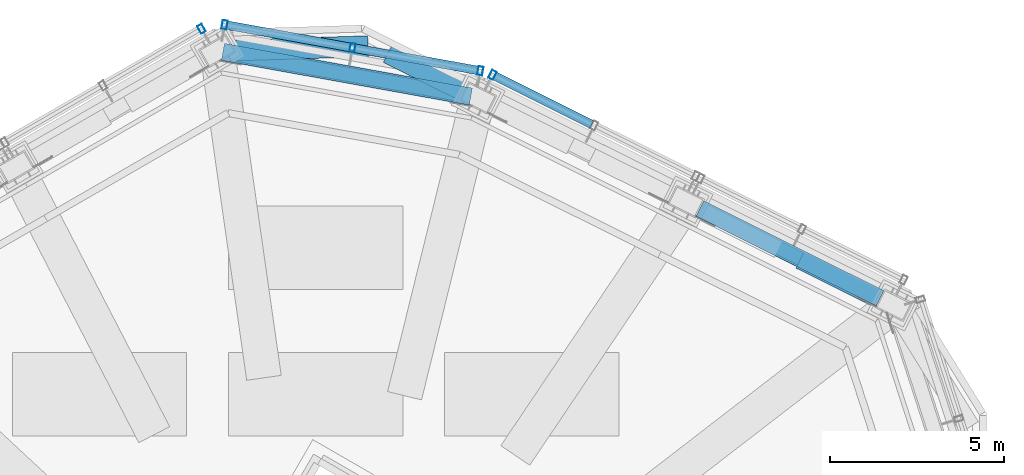
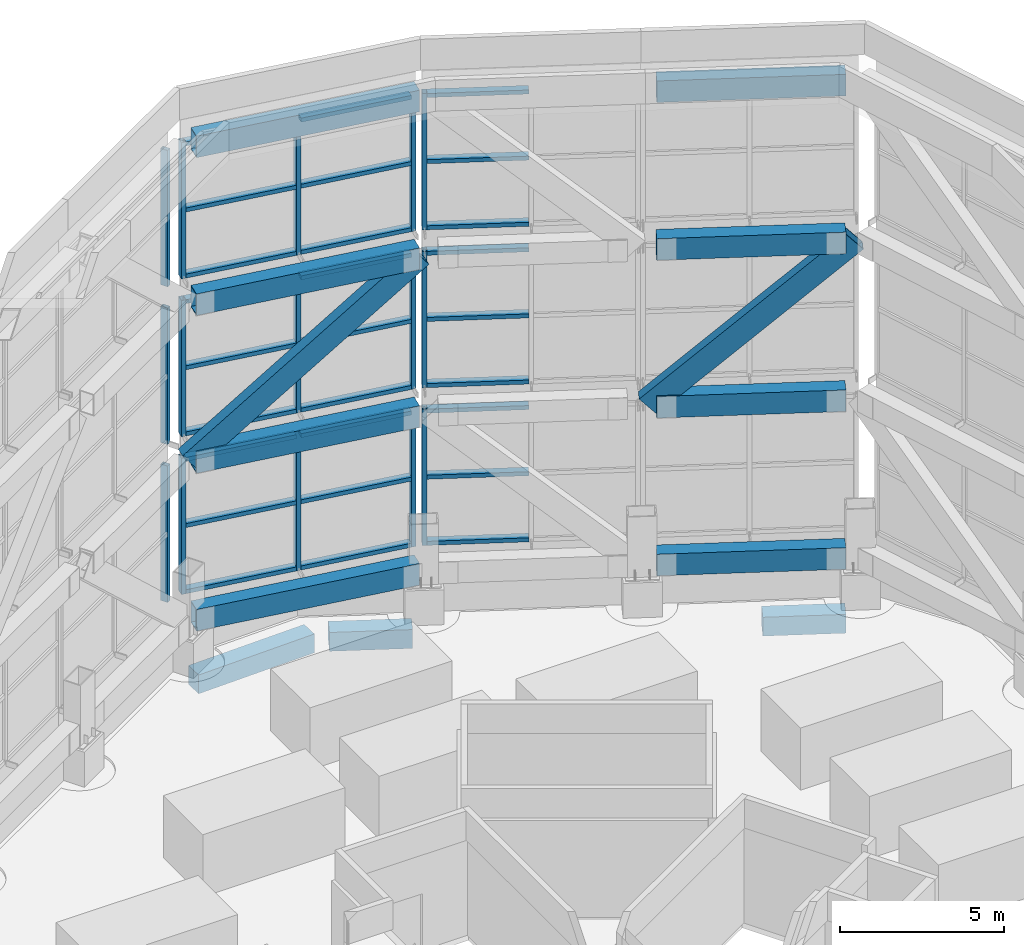
# One storey, part 15 of 46: 52 members, 3 beams, 9 elements without a shape of their own.
"""IFC4 building model written with IfcOpenShell, lengths in metres."""

from ifc_helpers import new_model, si_unit, direction, frame, origin, origin_2d, place, context, subcontext, project, spatial, rectangle, hollow_rectangle, extrude, material, material_profile, profile_set, type_object, element, aggregate, save


model = new_model("IFC4")

# Units and contexts
model_context = context("Model", 3, precision=1e-05, world=origin(), true_north=direction((0.0, 1.0)))
body_context = subcontext(model_context, "Body", "Model", "MODEL_VIEW")
ifc_project = project(units=[si_unit("LENGTHUNIT", "METRE"), si_unit("AREAUNIT", "SQUARE_METRE"), si_unit("VOLUMEUNIT", "CUBIC_METRE"), si_unit("PLANEANGLEUNIT", "RADIAN"), si_unit("MASSUNIT", "GRAM", prefix="KILO")], contexts=[model_context])

# Site, building, storey
site_placement = place(None, origin())
site = spatial("IfcSite", under=ifc_project, at=site_placement, CompositionType="ELEMENT")
building_placement = place(site_placement, origin())
building = spatial("IfcBuilding", under=site, at=building_placement, Name="Vanh Sen Convention Tower", CompositionType="ELEMENT")
storey_placement = place(building_placement, frame((0.0, 0.0, 305.0)))
storey = spatial("IfcBuildingStorey", under=building, at=storey_placement, Name="Roof level", CompositionType="ELEMENT", Elevation=305.0)

# Members
ifc_material_1 = material(Name="Steel S460", Category="steel")
ifc_material_profile_1 = material_profile(ifc_material_1, hollow_rectangle(XDim=0.39990234375, YDim=0.800048828125, WallThickness=0.02490234375, at=origin_2d()), Name="BOX 800X400X25")
ifc_profile_set_1 = profile_set([ifc_material_profile_1], Name="Steel S460")
member_type_1 = type_object("IfcMemberType", Name="Crown brace BOX 800X400X25", PredefinedType="BRACE", material=ifc_profile_set_1)
member_1_placement = place(storey_placement, frame((16.381103515625, 12.83984375, 13.481689453125), z_axis=(-0.654942996793, 0.326550081688, -0.681479798014), x_axis=(-0.446206074742, -0.894930242457, 0.0)))
element("IfcMember", 1, at=member_1_placement, inside=storey, type_object=member_type_1, Name="CROWN FRAME brace tier 2 span 04", PredefinedType="BRACE", context=body_context, shape_type="SweptSolid", body=[
    extrude(hollow_rectangle(XDim=0.39990234375, YDim=0.800048828125, WallThickness=0.02490234375, at=origin_2d()), origin(), (0.0, 0.0, 1.0), 8.611328125),
])
member_2_placement = place(storey_placement, frame((4.482421875, 18.7294921875, 13.481689453125), z_axis=(-0.774526921884, 0.139721802728, -0.616916416639), x_axis=(-0.177530765029, -0.98411525111, 0.0)))
element("IfcMember", 2, at=member_2_placement, inside=storey, type_object=member_type_1, Name="CROWN FRAME brace tier 2 span 06", PredefinedType="BRACE", context=body_context, shape_type="SweptSolid", body=[
    extrude(hollow_rectangle(XDim=0.39990234375, YDim=0.800048828125, WallThickness=0.02490234375, at=origin_2d()), origin(), (0.0, 0.0, 1.0), 9.512451171875),
])
ifc_material_profile_2 = material_profile(ifc_material_1, hollow_rectangle(XDim=0.5, YDim=0.800048828125, WallThickness=0.030029296875, at=origin_2d()), Name="BOX 800X500X30")
ifc_profile_set_2 = profile_set([ifc_material_profile_2], Name="Steel S460")
member_type_2 = type_object("IfcMemberType", Name="Crown ring beam BOX 800X500X30", PredefinedType="CHORD", material=ifc_profile_set_2)
member_3_placement = place(storey_placement, frame((16.144287109375, 12.957763671875, 1.7451171875), z_axis=(-0.894934091234, 0.446198355383, 0.0), x_axis=(-0.446198355383, -0.894934091234, 0.0)))
element("IfcMember", 3, at=member_3_placement, inside=storey, type_object=member_type_2, Name="CROWN FRAME ring beam 1 span 04", PredefinedType="CHORD", context=body_context, shape_type="SweptSolid", body=[
    extrude(hollow_rectangle(XDim=0.5, YDim=0.800048828125, WallThickness=0.030029296875, at=origin_2d()), origin(), (0.0, 0.0, 1.0), 5.77294921875),
])
member_4_placement = place(storey_placement, frame((4.410400390625, 18.74267578125, 1.7451171875), z_axis=(-0.984121311274, 0.177497168134, 0.0), x_axis=(-0.177497168134, -0.984121311274, 0.0)))
element("IfcMember", 4, at=member_4_placement, inside=storey, type_object=member_type_2, Name="CROWN FRAME ring beam 1 span 06", PredefinedType="CHORD", context=body_context, shape_type="SweptSolid", body=[
    extrude(hollow_rectangle(XDim=0.5, YDim=0.800048828125, WallThickness=0.030029296875, at=origin_2d()), origin(), (0.0, 0.0, 1.0), 7.22802734375),
])
member_5_placement = place(storey_placement, frame((16.144287109375, 12.957763671875, 7.61328125), z_axis=(-0.894934091234, 0.446198355383, 0.0), x_axis=(-0.446198355383, -0.894934091234, 0.0)))
element("IfcMember", 5, at=member_5_placement, inside=storey, type_object=member_type_2, Name="CROWN FRAME ring beam 2 span 04", PredefinedType="CHORD", context=body_context, shape_type="SweptSolid", body=[
    extrude(hollow_rectangle(XDim=0.5, YDim=0.800048828125, WallThickness=0.030029296875, at=origin_2d()), origin(), (0.0, 0.0, 1.0), 5.77294921875),
])
member_6_placement = place(storey_placement, frame((4.410400390625, 18.74267578125, 7.61328125), z_axis=(-0.984121311274, 0.177497168134, 0.0), x_axis=(-0.177497168134, -0.984121311274, 0.0)))
element("IfcMember", 6, at=member_6_placement, inside=storey, type_object=member_type_2, Name="CROWN FRAME ring beam 2 span 06", PredefinedType="CHORD", context=body_context, shape_type="SweptSolid", body=[
    extrude(hollow_rectangle(XDim=0.5, YDim=0.800048828125, WallThickness=0.030029296875, at=origin_2d()), origin(), (0.0, 0.0, 1.0), 7.22802734375),
])
member_7_placement = place(storey_placement, frame((16.144287109375, 12.957763671875, 13.481689453125), z_axis=(-0.894934091234, 0.446198355383, 0.0), x_axis=(-0.446198355383, -0.894934091234, 0.0)))
element("IfcMember", 7, at=member_7_placement, inside=storey, type_object=member_type_2, Name="CROWN FRAME ring beam 3 span 04", PredefinedType="CHORD", context=body_context, shape_type="SweptSolid", body=[
    extrude(hollow_rectangle(XDim=0.5, YDim=0.800048828125, WallThickness=0.030029296875, at=origin_2d()), origin(), (0.0, 0.0, 1.0), 5.77294921875),
])
member_8_placement = place(storey_placement, frame((4.410400390625, 18.74267578125, 13.481689453125), z_axis=(-0.984121311274, 0.177497168134, 0.0), x_axis=(-0.177497168134, -0.984121311274, 0.0)))
element("IfcMember", 8, at=member_8_placement, inside=storey, type_object=member_type_2, Name="CROWN FRAME ring beam 3 span 06", PredefinedType="CHORD", context=body_context, shape_type="SweptSolid", body=[
    extrude(hollow_rectangle(XDim=0.5, YDim=0.800048828125, WallThickness=0.030029296875, at=origin_2d()), origin(), (0.0, 0.0, 1.0), 7.22802734375),
])
member_9_placement = place(storey_placement, frame((16.144287109375, 12.957763671875, 19.35009765625), z_axis=(-0.894934091234, 0.446198355383, 0.0), x_axis=(-0.446198355383, -0.894934091234, 0.0)))
element("IfcMember", 9, at=member_9_placement, inside=storey, type_object=member_type_2, Name="CROWN FRAME ring beam 4 span 04", PredefinedType="CHORD", context=body_context, shape_type="SweptSolid", body=[
    extrude(hollow_rectangle(XDim=0.5, YDim=0.800048828125, WallThickness=0.030029296875, at=origin_2d()), origin(), (0.0, 0.0, 1.0), 5.77294921875),
])
member_10_placement = place(storey_placement, frame((4.410400390625, 18.74267578125, 19.35009765625), z_axis=(-0.984121311274, 0.177497168134, 0.0), x_axis=(-0.177497168134, -0.984121311274, 0.0)))
element("IfcMember", 10, at=member_10_placement, inside=storey, type_object=member_type_2, Name="CROWN FRAME ring beam 4 span 06", PredefinedType="CHORD", context=body_context, shape_type="SweptSolid", body=[
    extrude(hollow_rectangle(XDim=0.5, YDim=0.800048828125, WallThickness=0.030029296875, at=origin_2d()), origin(), (0.0, 0.0, 1.0), 7.22802734375),
])

# Curtain wall, member
ifc_material_2 = material(Name="Concrete C60/75", Category="concrete")
curtain_wall_type = type_object("IfcCurtainWallType", Name="Crown screen", PredefinedType="NOTDEFINED", material=ifc_material_2)
curtain_wall_1_placement = place(storey_placement, origin())
curtain_wall_1 = element("IfcCurtainWall", 11, at=curtain_wall_1_placement, inside=storey, type_object=curtain_wall_type, Name="CROWN SCREEN 05 tier 1", PredefinedType="NOTDEFINED")
ifc_material_3 = material(Name="Steel S355", Category="steel")
ifc_material_profile_3 = material_profile(ifc_material_3, hollow_rectangle(XDim=0.25, YDim=0.14990234375, WallThickness=0.008056640625, at=origin_2d()), Name="RHS 250X150X8")
ifc_profile_set_3 = profile_set([ifc_material_profile_3], Name="Steel S355")
member_type_3 = type_object("IfcMemberType", Name="Crown screen mullion RHS 250X150X8", PredefinedType="MULLION", material=ifc_profile_set_3)
member_11_placement = place(storey_placement, frame((5.029296875, 19.36572265625, 2.14501953125), z_axis=(0.0, 0.0, 1.0), x_axis=(-0.44619278342, -0.894936869295, 0.0)))
member_11 = element("IfcMember", 12, at=member_11_placement, type_object=member_type_3, Name="CROWN SCREEN6 mullion 3", PredefinedType="MULLION", context=body_context, shape_type="SweptSolid", body=[
    extrude(hollow_rectangle(XDim=0.25, YDim=0.14990234375, WallThickness=0.008056640625, at=origin_2d()), origin(), (0.0, 0.0, 1.0), 5.068359375),
])

curtain_wall_2_placement = place(storey_placement, origin())
curtain_wall_2 = element("IfcCurtainWall", 13, at=curtain_wall_2_placement, inside=storey, type_object=curtain_wall_type, Name="CROWN SCREEN 05 tier 2", PredefinedType="NOTDEFINED")
member_12_placement = place(storey_placement, frame((5.029296875, 19.36572265625, 8.01318359375), z_axis=(0.0, 0.0, 1.0), x_axis=(-0.44619278342, -0.894936869295, 0.0)))
member_12 = element("IfcMember", 14, at=member_12_placement, type_object=member_type_3, Name="CROWN SCREEN6 mullion 3", PredefinedType="MULLION", context=body_context, shape_type="SweptSolid", body=[
    extrude(hollow_rectangle(XDim=0.25, YDim=0.14990234375, WallThickness=0.008056640625, at=origin_2d()), origin(), (0.0, 0.0, 1.0), 5.068603515625),
])

curtain_wall_3_placement = place(storey_placement, origin())
curtain_wall_3 = element("IfcCurtainWall", 15, at=curtain_wall_3_placement, inside=storey, type_object=curtain_wall_type, Name="CROWN SCREEN 05 tier 3", PredefinedType="NOTDEFINED")
member_13_placement = place(storey_placement, frame((5.029296875, 19.36572265625, 13.881591796875), z_axis=(0.0, 0.0, 1.0), x_axis=(-0.44619278342, -0.894936869295, 0.0)))
member_13 = element("IfcMember", 16, at=member_13_placement, type_object=member_type_3, Name="CROWN SCREEN6 mullion 3", PredefinedType="MULLION", context=body_context, shape_type="SweptSolid", body=[
    extrude(hollow_rectangle(XDim=0.25, YDim=0.14990234375, WallThickness=0.008056640625, at=origin_2d()), origin(), (0.0, 0.0, 1.0), 5.068359375),
])

# Curtain wall, members
curtain_wall_4_placement = place(storey_placement, origin())
curtain_wall_4 = element("IfcCurtainWall", 17, at=curtain_wall_4_placement, inside=storey, type_object=curtain_wall_type, Name="CROWN SCREEN 06 tier 1", PredefinedType="NOTDEFINED")
member_14_placement = place(storey_placement, frame((4.68017578125, 19.4814453125, 2.14501953125), z_axis=(0.0, 0.0, 1.0), x_axis=(-0.177496023276, -0.984121517761, 0.0)))
member_14 = element("IfcMember", 18, at=member_14_placement, type_object=member_type_3, Name="CROWN SCREEN6 mullion 1", PredefinedType="MULLION", context=body_context, shape_type="SweptSolid", body=[
    extrude(hollow_rectangle(XDim=0.25, YDim=0.14990234375, WallThickness=0.008056640625, at=origin_2d()), origin(), (0.0, 0.0, 1.0), 5.068359375),
])
member_15_placement = place(storey_placement, frame((1.013671875, 20.142822265625, 2.14501953125), z_axis=(0.0, 0.0, 1.0), x_axis=(-0.177496023276, -0.984121517761, 0.0)))
member_15 = element("IfcMember", 19, at=member_15_placement, type_object=member_type_3, Name="CROWN SCREEN6 mullion 2", PredefinedType="MULLION", context=body_context, shape_type="SweptSolid", body=[
    extrude(hollow_rectangle(XDim=0.25, YDim=0.14990234375, WallThickness=0.008056640625, at=origin_2d()), origin(), (0.0, 0.0, 1.0), 5.068359375),
])
member_16_placement = place(storey_placement, frame((-2.65283203125, 20.80419921875, 2.14501953125), z_axis=(0.0, 0.0, 1.0), x_axis=(-0.177496023276, -0.984121517761, 0.0)))
member_16 = element("IfcMember", 20, at=member_16_placement, type_object=member_type_3, Name="CROWN SCREEN6 mullion 3", PredefinedType="MULLION", context=body_context, shape_type="SweptSolid", body=[
    extrude(hollow_rectangle(XDim=0.25, YDim=0.14990234375, WallThickness=0.008056640625, at=origin_2d()), origin(), (0.0, 0.0, 1.0), 5.068359375),
])

curtain_wall_5_placement = place(storey_placement, origin())
curtain_wall_5 = element("IfcCurtainWall", 21, at=curtain_wall_5_placement, inside=storey, type_object=curtain_wall_type, Name="CROWN SCREEN 06 tier 2", PredefinedType="NOTDEFINED")
member_17_placement = place(storey_placement, frame((4.68017578125, 19.4814453125, 8.01318359375), z_axis=(0.0, 0.0, 1.0), x_axis=(-0.177496023276, -0.984121517761, 0.0)))
member_17 = element("IfcMember", 22, at=member_17_placement, type_object=member_type_3, Name="CROWN SCREEN6 mullion 1", PredefinedType="MULLION", context=body_context, shape_type="SweptSolid", body=[
    extrude(hollow_rectangle(XDim=0.25, YDim=0.14990234375, WallThickness=0.008056640625, at=origin_2d()), origin(), (0.0, 0.0, 1.0), 5.068603515625),
])
member_18_placement = place(storey_placement, frame((1.013671875, 20.142822265625, 8.01318359375), z_axis=(0.0, 0.0, 1.0), x_axis=(-0.177496023276, -0.984121517761, 0.0)))
member_18 = element("IfcMember", 23, at=member_18_placement, type_object=member_type_3, Name="CROWN SCREEN6 mullion 2", PredefinedType="MULLION", context=body_context, shape_type="SweptSolid", body=[
    extrude(hollow_rectangle(XDim=0.25, YDim=0.14990234375, WallThickness=0.008056640625, at=origin_2d()), origin(), (0.0, 0.0, 1.0), 5.068603515625),
])
member_19_placement = place(storey_placement, frame((-2.65283203125, 20.80419921875, 8.01318359375), z_axis=(0.0, 0.0, 1.0), x_axis=(-0.177496023276, -0.984121517761, 0.0)))
member_19 = element("IfcMember", 24, at=member_19_placement, type_object=member_type_3, Name="CROWN SCREEN6 mullion 3", PredefinedType="MULLION", context=body_context, shape_type="SweptSolid", body=[
    extrude(hollow_rectangle(XDim=0.25, YDim=0.14990234375, WallThickness=0.008056640625, at=origin_2d()), origin(), (0.0, 0.0, 1.0), 5.068603515625),
])

curtain_wall_6_placement = place(storey_placement, origin())
curtain_wall_6 = element("IfcCurtainWall", 25, at=curtain_wall_6_placement, inside=storey, type_object=curtain_wall_type, Name="CROWN SCREEN 06 tier 3", PredefinedType="NOTDEFINED")
member_20_placement = place(storey_placement, frame((4.68017578125, 19.4814453125, 13.881591796875), z_axis=(0.0, 0.0, 1.0), x_axis=(-0.177496023276, -0.984121517761, 0.0)))
member_20 = element("IfcMember", 26, at=member_20_placement, type_object=member_type_3, Name="CROWN SCREEN6 mullion 1", PredefinedType="MULLION", context=body_context, shape_type="SweptSolid", body=[
    extrude(hollow_rectangle(XDim=0.25, YDim=0.14990234375, WallThickness=0.008056640625, at=origin_2d()), origin(), (0.0, 0.0, 1.0), 5.068359375),
])
member_21_placement = place(storey_placement, frame((1.013671875, 20.142822265625, 13.881591796875), z_axis=(0.0, 0.0, 1.0), x_axis=(-0.177496023276, -0.984121517761, 0.0)))
member_21 = element("IfcMember", 27, at=member_21_placement, type_object=member_type_3, Name="CROWN SCREEN6 mullion 2", PredefinedType="MULLION", context=body_context, shape_type="SweptSolid", body=[
    extrude(hollow_rectangle(XDim=0.25, YDim=0.14990234375, WallThickness=0.008056640625, at=origin_2d()), origin(), (0.0, 0.0, 1.0), 5.068359375),
])
member_22_placement = place(storey_placement, frame((-2.65283203125, 20.80419921875, 13.881591796875), z_axis=(0.0, 0.0, 1.0), x_axis=(-0.177496023276, -0.984121517761, 0.0)))
member_22 = element("IfcMember", 28, at=member_22_placement, type_object=member_type_3, Name="CROWN SCREEN6 mullion 3", PredefinedType="MULLION", context=body_context, shape_type="SweptSolid", body=[
    extrude(hollow_rectangle(XDim=0.25, YDim=0.14990234375, WallThickness=0.008056640625, at=origin_2d()), origin(), (0.0, 0.0, 1.0), 5.068359375),
])

# Curtain wall, member
curtain_wall_7_placement = place(storey_placement, origin())
curtain_wall_7 = element("IfcCurtainWall", 29, at=curtain_wall_7_placement, inside=storey, type_object=curtain_wall_type, Name="CROWN SCREEN 07 tier 1", PredefinedType="NOTDEFINED")
member_23_placement = place(storey_placement, frame((-3.316650390625, 20.6884765625, 2.14501953125), z_axis=(0.0, 0.0, 1.0), x_axis=(0.500004787758, -0.866022639554, 0.0)))
member_23 = element("IfcMember", 30, at=member_23_placement, type_object=member_type_3, Name="CROWN SCREEN6 mullion 1", PredefinedType="MULLION", context=body_context, shape_type="SweptSolid", body=[
    extrude(hollow_rectangle(XDim=0.25, YDim=0.14990234375, WallThickness=0.008056640625, at=origin_2d()), origin(), (0.0, 0.0, 1.0), 5.068359375),
])
aggregate(curtain_wall_7, [member_23])

curtain_wall_8_placement = place(storey_placement, origin())
curtain_wall_8 = element("IfcCurtainWall", 31, at=curtain_wall_8_placement, inside=storey, type_object=curtain_wall_type, Name="CROWN SCREEN 07 tier 2", PredefinedType="NOTDEFINED")
member_24_placement = place(storey_placement, frame((-3.316650390625, 20.6884765625, 8.01318359375), z_axis=(0.0, 0.0, 1.0), x_axis=(0.500004787758, -0.866022639554, 0.0)))
member_24 = element("IfcMember", 32, at=member_24_placement, type_object=member_type_3, Name="CROWN SCREEN6 mullion 1", PredefinedType="MULLION", context=body_context, shape_type="SweptSolid", body=[
    extrude(hollow_rectangle(XDim=0.25, YDim=0.14990234375, WallThickness=0.008056640625, at=origin_2d()), origin(), (0.0, 0.0, 1.0), 5.068603515625),
])
aggregate(curtain_wall_8, [member_24])

curtain_wall_9_placement = place(storey_placement, origin())
curtain_wall_9 = element("IfcCurtainWall", 33, at=curtain_wall_9_placement, inside=storey, type_object=curtain_wall_type, Name="CROWN SCREEN 07 tier 3", PredefinedType="NOTDEFINED")
member_25_placement = place(storey_placement, frame((-3.316650390625, 20.6884765625, 13.881591796875), z_axis=(0.0, 0.0, 1.0), x_axis=(0.500004787758, -0.866022639554, 0.0)))
member_25 = element("IfcMember", 34, at=member_25_placement, type_object=member_type_3, Name="CROWN SCREEN6 mullion 1", PredefinedType="MULLION", context=body_context, shape_type="SweptSolid", body=[
    extrude(hollow_rectangle(XDim=0.25, YDim=0.14990234375, WallThickness=0.008056640625, at=origin_2d()), origin(), (0.0, 0.0, 1.0), 5.068359375),
])
aggregate(curtain_wall_9, [member_25])

# Member
ifc_material_profile_4 = material_profile(ifc_material_3, hollow_rectangle(XDim=0.25, YDim=0.14990234375, WallThickness=0.008056640625, at=origin_2d()), Name="RHS 250X150X8")
ifc_profile_set_4 = profile_set([ifc_material_profile_4], Name="Steel S355")
member_type_4 = type_object("IfcMemberType", Name="Crown screen transom RHS 250X150X8", PredefinedType="USERDEFINED", material=ifc_profile_set_4)
member_26_placement = place(storey_placement, frame((7.87646484375, 17.946044921875, 2.219970703125), z_axis=(-0.894913923324, 0.446238803603, 0.0), x_axis=(-0.446238803603, -0.894913923324, 0.0)))
member_26 = element("IfcMember", 35, at=member_26_placement, type_object=member_type_4, Name="CROWN SCREEN6 transom 2.1", ObjectType="TRANSOM", PredefinedType="USERDEFINED", context=body_context, shape_type="SweptSolid", body=[
    extrude(hollow_rectangle(XDim=0.25, YDim=0.14990234375, WallThickness=0.008056640625, at=origin_2d()), origin(), (0.0, 0.0, 1.0), 3.1064453125),
])

member_27_placement = place(storey_placement, frame((7.87646484375, 17.946044921875, 4.67919921875), z_axis=(-0.894913923324, 0.446238803603, 0.0), x_axis=(-0.446238803603, -0.894913923324, 0.0)))
member_27 = element("IfcMember", 36, at=member_27_placement, type_object=member_type_4, Name="CROWN SCREEN6 transom 2.2", ObjectType="TRANSOM", PredefinedType="USERDEFINED", context=body_context, shape_type="SweptSolid", body=[
    extrude(hollow_rectangle(XDim=0.25, YDim=0.14990234375, WallThickness=0.008056640625, at=origin_2d()), origin(), (0.0, 0.0, 1.0), 3.1064453125),
])

member_28_placement = place(storey_placement, frame((7.87646484375, 17.946044921875, 7.13818359375), z_axis=(-0.894913923324, 0.446238803603, 0.0), x_axis=(-0.446238803603, -0.894913923324, 0.0)))
member_28 = element("IfcMember", 37, at=member_28_placement, type_object=member_type_4, Name="CROWN SCREEN6 transom 2.3", ObjectType="TRANSOM", PredefinedType="USERDEFINED", context=body_context, shape_type="SweptSolid", body=[
    extrude(hollow_rectangle(XDim=0.25, YDim=0.14990234375, WallThickness=0.008056640625, at=origin_2d()), origin(), (0.0, 0.0, 1.0), 3.1064453125),
])

aggregate(curtain_wall_1, [member_11, member_26, member_27, member_28])

member_29_placement = place(storey_placement, frame((7.87646484375, 17.946044921875, 8.08837890625), z_axis=(-0.894913923324, 0.446238803603, 0.0), x_axis=(-0.446238803603, -0.894913923324, 0.0)))
member_29 = element("IfcMember", 38, at=member_29_placement, type_object=member_type_4, Name="CROWN SCREEN6 transom 2.1", ObjectType="TRANSOM", PredefinedType="USERDEFINED", context=body_context, shape_type="SweptSolid", body=[
    extrude(hollow_rectangle(XDim=0.25, YDim=0.14990234375, WallThickness=0.008056640625, at=origin_2d()), origin(), (0.0, 0.0, 1.0), 3.1064453125),
])

member_30_placement = place(storey_placement, frame((7.87646484375, 17.946044921875, 10.547607421875), z_axis=(-0.894913923324, 0.446238803603, 0.0), x_axis=(-0.446238803603, -0.894913923324, 0.0)))
member_30 = element("IfcMember", 39, at=member_30_placement, type_object=member_type_4, Name="CROWN SCREEN6 transom 2.2", ObjectType="TRANSOM", PredefinedType="USERDEFINED", context=body_context, shape_type="SweptSolid", body=[
    extrude(hollow_rectangle(XDim=0.25, YDim=0.14990234375, WallThickness=0.008056640625, at=origin_2d()), origin(), (0.0, 0.0, 1.0), 3.1064453125),
])

member_31_placement = place(storey_placement, frame((7.87646484375, 17.946044921875, 13.006591796875), z_axis=(-0.894913923324, 0.446238803603, 0.0), x_axis=(-0.446238803603, -0.894913923324, 0.0)))
member_31 = element("IfcMember", 40, at=member_31_placement, type_object=member_type_4, Name="CROWN SCREEN6 transom 2.3", ObjectType="TRANSOM", PredefinedType="USERDEFINED", context=body_context, shape_type="SweptSolid", body=[
    extrude(hollow_rectangle(XDim=0.25, YDim=0.14990234375, WallThickness=0.008056640625, at=origin_2d()), origin(), (0.0, 0.0, 1.0), 3.1064453125),
])

aggregate(curtain_wall_2, [member_12, member_29, member_30, member_31])

member_32_placement = place(storey_placement, frame((7.87646484375, 17.946044921875, 13.956787109375), z_axis=(-0.894913923324, 0.446238803603, 0.0), x_axis=(-0.446238803603, -0.894913923324, 0.0)))
member_32 = element("IfcMember", 41, at=member_32_placement, type_object=member_type_4, Name="CROWN SCREEN6 transom 2.1", ObjectType="TRANSOM", PredefinedType="USERDEFINED", context=body_context, shape_type="SweptSolid", body=[
    extrude(hollow_rectangle(XDim=0.25, YDim=0.14990234375, WallThickness=0.008056640625, at=origin_2d()), origin(), (0.0, 0.0, 1.0), 3.1064453125),
])

member_33_placement = place(storey_placement, frame((7.87646484375, 17.946044921875, 16.415771484375), z_axis=(-0.894913923324, 0.446238803603, 0.0), x_axis=(-0.446238803603, -0.894913923324, 0.0)))
member_33 = element("IfcMember", 42, at=member_33_placement, type_object=member_type_4, Name="CROWN SCREEN6 transom 2.2", ObjectType="TRANSOM", PredefinedType="USERDEFINED", context=body_context, shape_type="SweptSolid", body=[
    extrude(hollow_rectangle(XDim=0.25, YDim=0.14990234375, WallThickness=0.008056640625, at=origin_2d()), origin(), (0.0, 0.0, 1.0), 3.1064453125),
])

member_34_placement = place(storey_placement, frame((7.87646484375, 17.946044921875, 18.875), z_axis=(-0.894913923324, 0.446238803603, 0.0), x_axis=(-0.446238803603, -0.894913923324, 0.0)))
member_34 = element("IfcMember", 43, at=member_34_placement, type_object=member_type_4, Name="CROWN SCREEN6 transom 2.3", ObjectType="TRANSOM", PredefinedType="USERDEFINED", context=body_context, shape_type="SweptSolid", body=[
    extrude(hollow_rectangle(XDim=0.25, YDim=0.14990234375, WallThickness=0.008056640625, at=origin_2d()), origin(), (0.0, 0.0, 1.0), 3.1064453125),
])

aggregate(curtain_wall_3, [member_13, member_32, member_33, member_34])

member_35_placement = place(storey_placement, frame((4.606201171875, 19.494873046875, 2.219970703125), z_axis=(-0.98412779941, 0.177461191332, 0.0), x_axis=(-0.177461191332, -0.98412779941, 0.0)))
member_35 = element("IfcMember", 44, at=member_35_placement, type_object=member_type_4, Name="CROWN SCREEN6 transom 1.1", ObjectType="TRANSOM", PredefinedType="USERDEFINED", context=body_context, shape_type="SweptSolid", body=[
    extrude(hollow_rectangle(XDim=0.25, YDim=0.14990234375, WallThickness=0.008056640625, at=origin_2d()), origin(), (0.0, 0.0, 1.0), 3.575439453125),
])

member_36_placement = place(storey_placement, frame((4.606201171875, 19.494873046875, 4.67919921875), z_axis=(-0.98412779941, 0.177461191332, 0.0), x_axis=(-0.177461191332, -0.98412779941, 0.0)))
member_36 = element("IfcMember", 45, at=member_36_placement, type_object=member_type_4, Name="CROWN SCREEN6 transom 1.2", ObjectType="TRANSOM", PredefinedType="USERDEFINED", context=body_context, shape_type="SweptSolid", body=[
    extrude(hollow_rectangle(XDim=0.25, YDim=0.14990234375, WallThickness=0.008056640625, at=origin_2d()), origin(), (0.0, 0.0, 1.0), 3.575439453125),
])

member_37_placement = place(storey_placement, frame((4.606201171875, 19.494873046875, 7.13818359375), z_axis=(-0.98412779941, 0.177461191332, 0.0), x_axis=(-0.177461191332, -0.98412779941, 0.0)))
member_37 = element("IfcMember", 46, at=member_37_placement, type_object=member_type_4, Name="CROWN SCREEN6 transom 1.3", ObjectType="TRANSOM", PredefinedType="USERDEFINED", context=body_context, shape_type="SweptSolid", body=[
    extrude(hollow_rectangle(XDim=0.25, YDim=0.14990234375, WallThickness=0.008056640625, at=origin_2d()), origin(), (0.0, 0.0, 1.0), 3.575439453125),
])

member_38_placement = place(storey_placement, frame((0.939697265625, 20.156005859375, 2.219970703125), z_axis=(-0.984115872508, 0.177527320372, 0.0), x_axis=(-0.177527320372, -0.984115872508, 0.0)))
member_38 = element("IfcMember", 47, at=member_38_placement, type_object=member_type_4, Name="CROWN SCREEN6 transom 2.1", ObjectType="TRANSOM", PredefinedType="USERDEFINED", context=body_context, shape_type="SweptSolid", body=[
    extrude(hollow_rectangle(XDim=0.25, YDim=0.14990234375, WallThickness=0.008056640625, at=origin_2d()), origin(), (0.0, 0.0, 1.0), 3.57568359375),
])

member_39_placement = place(storey_placement, frame((0.939697265625, 20.156005859375, 4.67919921875), z_axis=(-0.984115872508, 0.177527320372, 0.0), x_axis=(-0.177527320372, -0.984115872508, 0.0)))
member_39 = element("IfcMember", 48, at=member_39_placement, type_object=member_type_4, Name="CROWN SCREEN6 transom 2.2", ObjectType="TRANSOM", PredefinedType="USERDEFINED", context=body_context, shape_type="SweptSolid", body=[
    extrude(hollow_rectangle(XDim=0.25, YDim=0.14990234375, WallThickness=0.008056640625, at=origin_2d()), origin(), (0.0, 0.0, 1.0), 3.57568359375),
])

member_40_placement = place(storey_placement, frame((0.939697265625, 20.156005859375, 7.13818359375), z_axis=(-0.984115872508, 0.177527320372, 0.0), x_axis=(-0.177527320372, -0.984115872508, 0.0)))
member_40 = element("IfcMember", 49, at=member_40_placement, type_object=member_type_4, Name="CROWN SCREEN6 transom 2.3", ObjectType="TRANSOM", PredefinedType="USERDEFINED", context=body_context, shape_type="SweptSolid", body=[
    extrude(hollow_rectangle(XDim=0.25, YDim=0.14990234375, WallThickness=0.008056640625, at=origin_2d()), origin(), (0.0, 0.0, 1.0), 3.57568359375),
])

aggregate(curtain_wall_4, [member_14, member_15, member_16, member_35, member_36, member_37, member_38, member_39, member_40])

member_41_placement = place(storey_placement, frame((4.606201171875, 19.494873046875, 8.08837890625), z_axis=(-0.98412779941, 0.177461191332, 0.0), x_axis=(-0.177461191332, -0.98412779941, 0.0)))
member_41 = element("IfcMember", 50, at=member_41_placement, type_object=member_type_4, Name="CROWN SCREEN6 transom 1.1", ObjectType="TRANSOM", PredefinedType="USERDEFINED", context=body_context, shape_type="SweptSolid", body=[
    extrude(hollow_rectangle(XDim=0.25, YDim=0.14990234375, WallThickness=0.008056640625, at=origin_2d()), origin(), (0.0, 0.0, 1.0), 3.575439453125),
])

member_42_placement = place(storey_placement, frame((4.606201171875, 19.494873046875, 10.547607421875), z_axis=(-0.98412779941, 0.177461191332, 0.0), x_axis=(-0.177461191332, -0.98412779941, 0.0)))
member_42 = element("IfcMember", 51, at=member_42_placement, type_object=member_type_4, Name="CROWN SCREEN6 transom 1.2", ObjectType="TRANSOM", PredefinedType="USERDEFINED", context=body_context, shape_type="SweptSolid", body=[
    extrude(hollow_rectangle(XDim=0.25, YDim=0.14990234375, WallThickness=0.008056640625, at=origin_2d()), origin(), (0.0, 0.0, 1.0), 3.575439453125),
])

member_43_placement = place(storey_placement, frame((4.606201171875, 19.494873046875, 13.006591796875), z_axis=(-0.98412779941, 0.177461191332, 0.0), x_axis=(-0.177461191332, -0.98412779941, 0.0)))
member_43 = element("IfcMember", 52, at=member_43_placement, type_object=member_type_4, Name="CROWN SCREEN6 transom 1.3", ObjectType="TRANSOM", PredefinedType="USERDEFINED", context=body_context, shape_type="SweptSolid", body=[
    extrude(hollow_rectangle(XDim=0.25, YDim=0.14990234375, WallThickness=0.008056640625, at=origin_2d()), origin(), (0.0, 0.0, 1.0), 3.575439453125),
])

member_44_placement = place(storey_placement, frame((0.939697265625, 20.156005859375, 8.08837890625), z_axis=(-0.984115872508, 0.177527320372, 0.0), x_axis=(-0.177527320372, -0.984115872508, 0.0)))
member_44 = element("IfcMember", 53, at=member_44_placement, type_object=member_type_4, Name="CROWN SCREEN6 transom 2.1", ObjectType="TRANSOM", PredefinedType="USERDEFINED", context=body_context, shape_type="SweptSolid", body=[
    extrude(hollow_rectangle(XDim=0.25, YDim=0.14990234375, WallThickness=0.008056640625, at=origin_2d()), origin(), (0.0, 0.0, 1.0), 3.57568359375),
])

member_45_placement = place(storey_placement, frame((0.939697265625, 20.156005859375, 10.547607421875), z_axis=(-0.984115872508, 0.177527320372, 0.0), x_axis=(-0.177527320372, -0.984115872508, 0.0)))
member_45 = element("IfcMember", 54, at=member_45_placement, type_object=member_type_4, Name="CROWN SCREEN6 transom 2.2", ObjectType="TRANSOM", PredefinedType="USERDEFINED", context=body_context, shape_type="SweptSolid", body=[
    extrude(hollow_rectangle(XDim=0.25, YDim=0.14990234375, WallThickness=0.008056640625, at=origin_2d()), origin(), (0.0, 0.0, 1.0), 3.57568359375),
])

member_46_placement = place(storey_placement, frame((0.939697265625, 20.156005859375, 13.006591796875), z_axis=(-0.984115872508, 0.177527320372, 0.0), x_axis=(-0.177527320372, -0.984115872508, 0.0)))
member_46 = element("IfcMember", 55, at=member_46_placement, type_object=member_type_4, Name="CROWN SCREEN6 transom 2.3", ObjectType="TRANSOM", PredefinedType="USERDEFINED", context=body_context, shape_type="SweptSolid", body=[
    extrude(hollow_rectangle(XDim=0.25, YDim=0.14990234375, WallThickness=0.008056640625, at=origin_2d()), origin(), (0.0, 0.0, 1.0), 3.57568359375),
])

aggregate(curtain_wall_5, [member_17, member_18, member_19, member_41, member_42, member_43, member_44, member_45, member_46])

member_47_placement = place(storey_placement, frame((4.606201171875, 19.494873046875, 13.956787109375), z_axis=(-0.98412779941, 0.177461191332, 0.0), x_axis=(-0.177461191332, -0.98412779941, 0.0)))
member_47 = element("IfcMember", 56, at=member_47_placement, type_object=member_type_4, Name="CROWN SCREEN6 transom 1.1", ObjectType="TRANSOM", PredefinedType="USERDEFINED", context=body_context, shape_type="SweptSolid", body=[
    extrude(hollow_rectangle(XDim=0.25, YDim=0.14990234375, WallThickness=0.008056640625, at=origin_2d()), origin(), (0.0, 0.0, 1.0), 3.575439453125),
])

member_48_placement = place(storey_placement, frame((4.606201171875, 19.494873046875, 16.415771484375), z_axis=(-0.98412779941, 0.177461191332, 0.0), x_axis=(-0.177461191332, -0.98412779941, 0.0)))
member_48 = element("IfcMember", 57, at=member_48_placement, type_object=member_type_4, Name="CROWN SCREEN6 transom 1.2", ObjectType="TRANSOM", PredefinedType="USERDEFINED", context=body_context, shape_type="SweptSolid", body=[
    extrude(hollow_rectangle(XDim=0.25, YDim=0.14990234375, WallThickness=0.008056640625, at=origin_2d()), origin(), (0.0, 0.0, 1.0), 3.575439453125),
])

member_49_placement = place(storey_placement, frame((4.606201171875, 19.494873046875, 18.875), z_axis=(-0.98412779941, 0.177461191332, 0.0), x_axis=(-0.177461191332, -0.98412779941, 0.0)))
member_49 = element("IfcMember", 58, at=member_49_placement, type_object=member_type_4, Name="CROWN SCREEN6 transom 1.3", ObjectType="TRANSOM", PredefinedType="USERDEFINED", context=body_context, shape_type="SweptSolid", body=[
    extrude(hollow_rectangle(XDim=0.25, YDim=0.14990234375, WallThickness=0.008056640625, at=origin_2d()), origin(), (0.0, 0.0, 1.0), 3.575439453125),
])

member_50_placement = place(storey_placement, frame((0.939697265625, 20.156005859375, 13.956787109375), z_axis=(-0.984115872508, 0.177527320372, 0.0), x_axis=(-0.177527320372, -0.984115872508, 0.0)))
member_50 = element("IfcMember", 59, at=member_50_placement, type_object=member_type_4, Name="CROWN SCREEN6 transom 2.1", ObjectType="TRANSOM", PredefinedType="USERDEFINED", context=body_context, shape_type="SweptSolid", body=[
    extrude(hollow_rectangle(XDim=0.25, YDim=0.14990234375, WallThickness=0.008056640625, at=origin_2d()), origin(), (0.0, 0.0, 1.0), 3.57568359375),
])

member_51_placement = place(storey_placement, frame((0.939697265625, 20.156005859375, 16.415771484375), z_axis=(-0.984115872508, 0.177527320372, 0.0), x_axis=(-0.177527320372, -0.984115872508, 0.0)))
member_51 = element("IfcMember", 60, at=member_51_placement, type_object=member_type_4, Name="CROWN SCREEN6 transom 2.2", ObjectType="TRANSOM", PredefinedType="USERDEFINED", context=body_context, shape_type="SweptSolid", body=[
    extrude(hollow_rectangle(XDim=0.25, YDim=0.14990234375, WallThickness=0.008056640625, at=origin_2d()), origin(), (0.0, 0.0, 1.0), 3.57568359375),
])

member_52_placement = place(storey_placement, frame((0.939697265625, 20.156005859375, 18.875), z_axis=(-0.984115872508, 0.177527320372, 0.0), x_axis=(-0.177527320372, -0.984115872508, 0.0)))
member_52 = element("IfcMember", 61, at=member_52_placement, type_object=member_type_4, Name="CROWN SCREEN6 transom 2.3", ObjectType="TRANSOM", PredefinedType="USERDEFINED", context=body_context, shape_type="SweptSolid", body=[
    extrude(hollow_rectangle(XDim=0.25, YDim=0.14990234375, WallThickness=0.008056640625, at=origin_2d()), origin(), (0.0, 0.0, 1.0), 3.57568359375),
])

aggregate(curtain_wall_6, [member_20, member_21, member_22, member_47, member_48, member_49, member_50, member_51, member_52])

# Beams
ifc_material_4 = material(Name="Concrete C50/60", Category="concrete")
ifc_material_profile_5 = material_profile(ifc_material_4, rectangle(XDim=0.60009765625, YDim=0.699951171875, at=origin_2d()), Name="RC 600X700")
ifc_profile_set_5 = profile_set([ifc_material_profile_5], Name="Concrete C50/60")
beam_type = type_object("IfcBeamType", Name="Spandrel beam 600 x 700", PredefinedType="SPANDREL", material=ifc_profile_set_5)
beam_1_placement = place(storey_placement, frame((16.144287109375, 12.957763671875, -0.64990234375), z_axis=(-0.894926162451, 0.446214257684, 0.0), x_axis=(-0.446214257684, -0.894926162451, 0.0)))
element("IfcBeam", 62, at=beam_1_placement, inside=storey, type_object=beam_type, Name="Spandrel beam 07 Roof level", PredefinedType="SPANDREL", context=body_context, shape_type="SweptSolid", body=[
    extrude(rectangle(XDim=0.60009765625, YDim=0.699951171875, at=origin_2d()), origin(), (0.0, 0.0, 1.0), 2.54150390625),
])
beam_2_placement = place(storey_placement, frame((4.3076171875, 18.859375, -0.64990234375), z_axis=(-0.894945286886, 0.446175899709, 0.0), x_axis=(-0.446175899709, -0.894945286886, 0.0)))
element("IfcBeam", 63, at=beam_2_placement, inside=storey, type_object=beam_type, Name="Spandrel beam 11 Roof level", PredefinedType="SPANDREL", context=body_context, shape_type="SweptSolid", body=[
    extrude(rectangle(XDim=0.60009765625, YDim=0.699951171875, at=origin_2d()), origin(), (0.0, 0.0, 1.0), 2.541748046875),
])
beam_3_placement = place(storey_placement, frame((1.458740234375, 20.186767578125, -0.64990234375), z_axis=(-0.99953353558, -0.030540321734, 0.0), x_axis=(0.030540321734, -0.99953353558, 0.0)))
element("IfcBeam", 64, at=beam_3_placement, inside=storey, type_object=beam_type, Name="Spandrel beam 12 Roof level", PredefinedType="SPANDREL", context=body_context, shape_type="SweptSolid", body=[
    extrude(rectangle(XDim=0.60009765625, YDim=0.699951171875, at=origin_2d()), origin(), (0.0, 0.0, 1.0), 4.14892578125),
])

save(model, "model.ifc")
